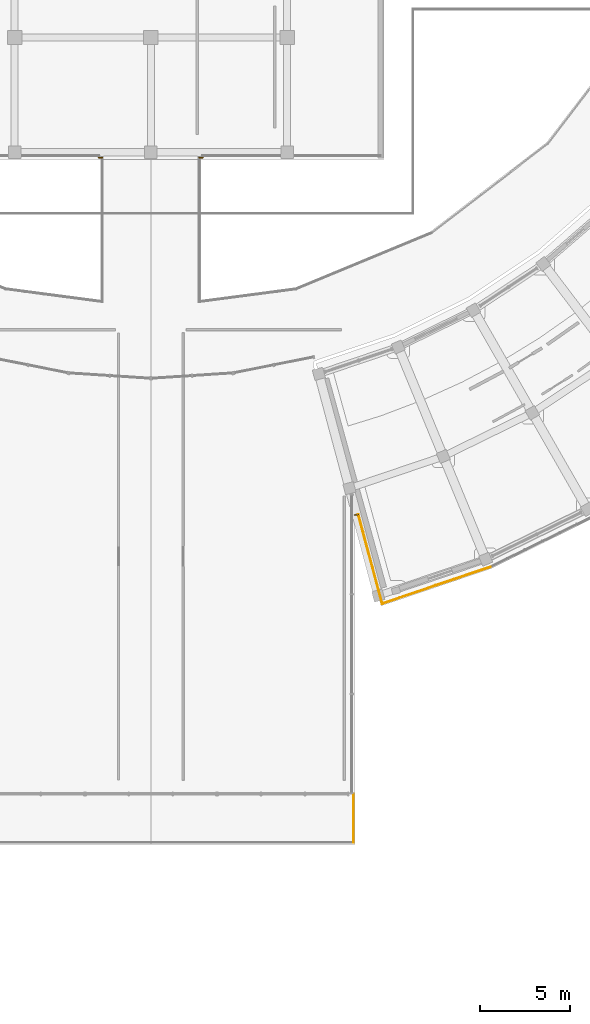
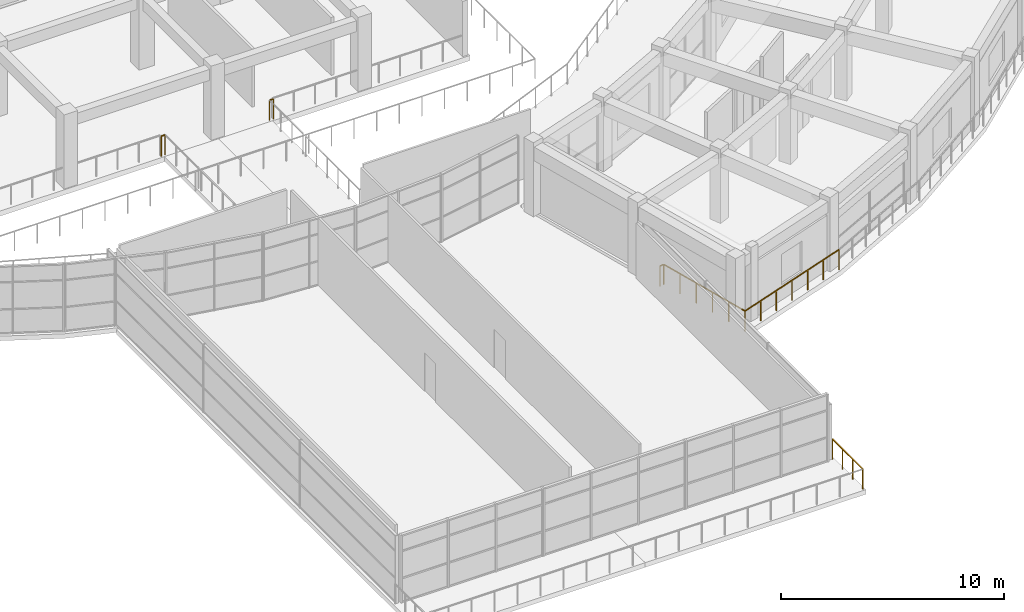
# One storey, part 68 of 83: 6 railings.
"""IFC4 building model written with IfcOpenShell, lengths in metres."""

from ifc_helpers import new_model, si_unit, direction, frame, origin, origin_2d, place, context, subcontext, project, spatial, rectangle, extrude, material, layer, layer_set, type_object, element, save


model = new_model("IFC4")

# Units and contexts
model_context = context("Model", 3, precision=1e-05, world=origin(), true_north=direction((0.0, 1.0)))
body_context = subcontext(model_context, "Body", "Model", "MODEL_VIEW")
ifc_project = project(units=[si_unit("LENGTHUNIT", "METRE"), si_unit("AREAUNIT", "SQUARE_METRE"), si_unit("VOLUMEUNIT", "CUBIC_METRE"), si_unit("PLANEANGLEUNIT", "RADIAN"), si_unit("MASSUNIT", "GRAM", prefix="KILO")], contexts=[model_context])

# Site, building, storey
site_placement = place(None, origin())
site = spatial("IfcSite", under=ifc_project, at=site_placement, CompositionType="ELEMENT")
building_placement = place(site_placement, origin())
building = spatial("IfcBuilding", under=site, at=building_placement, Name="Saryqyr Civic Hall", CompositionType="ELEMENT")
storey_placement = place(building_placement, frame((0.0, 0.0, 9.14990234375)))
storey = spatial("IfcBuildingStorey", under=building, at=storey_placement, Name="L02", CompositionType="ELEMENT", Elevation=9.14990234375)

# Railings
ifc_material = material(Name="Warm brushed brass and laminated glass", Category="glass")
ifc_layer = layer(ifc_material, 0.06005859375, Name="Warm brushed brass and laminated glass")
ifc_layer_set = layer_set([ifc_layer], Name="Warm brushed brass and laminated glass")
railing_type = type_object("IfcRailingType", Name="INT-RLG-BAL-1100", PredefinedType="BALUSTRADE", material=ifc_layer_set)
railing_1_placement = place(storey_placement, frame((75.942626953125, 38.268310546875, 0.0)))
element("IfcRailing", 1, at=railing_1_placement, inside=storey, type_object=railing_type, Name="Interior deck safety balustrade L02-046", PredefinedType="BALUSTRADE", context=body_context, shape_type="SweptSolid", body=[
    extrude(rectangle(XDim=0.048095703125, YDim=0.048095703125, at=origin_2d()), frame((0.0, 0.0, 1.09619140625), z_axis=(-0.946914589927, -0.321485239761, 0.0), x_axis=(0.321485239761, -0.946914589927, 0.0)), (0.0, 0.0, 1.0), 6.37451171875),
    extrude(rectangle(XDim=0.0419921875, YDim=0.0419921875, at=origin_2d()), origin(), (0.0, 0.0, 1.0), 1.072021484375),
    extrude(rectangle(XDim=0.0419921875, YDim=0.0419921875, at=origin_2d()), frame((-1.006103515625, -0.341552734375, 0.0)), (0.0, 0.0, 1.0), 1.072021484375),
    extrude(rectangle(XDim=0.0419921875, YDim=0.0419921875, at=origin_2d()), frame((-2.011962890625, -0.68310546875, 0.0)), (0.0, 0.0, 1.0), 1.072021484375),
    extrude(rectangle(XDim=0.0419921875, YDim=0.0419921875, at=origin_2d()), frame((-3.01806640625, -1.024658203125, 0.0)), (0.0, 0.0, 1.0), 1.072021484375),
    extrude(rectangle(XDim=0.0419921875, YDim=0.0419921875, at=origin_2d()), frame((-4.024169921875, -1.3662109375, 0.0)), (0.0, 0.0, 1.0), 1.072021484375),
    extrude(rectangle(XDim=0.0419921875, YDim=0.0419921875, at=origin_2d()), frame((-5.030029296875, -1.707763671875, 0.0)), (0.0, 0.0, 1.0), 1.072021484375),
    extrude(rectangle(XDim=0.0419921875, YDim=0.0419921875, at=origin_2d()), frame((-6.0361328125, -2.04931640625, 0.0)), (0.0, 0.0, 1.0), 1.072021484375),
])
railing_2_placement = place(storey_placement, frame((69.906494140625, 36.218994140625, 0.0)))
element("IfcRailing", 2, at=railing_2_placement, inside=storey, type_object=railing_type, Name="Interior deck safety balustrade L02-047", PredefinedType="BALUSTRADE", context=body_context, shape_type="SweptSolid", body=[
    extrude(rectangle(XDim=0.048095703125, YDim=0.048095703125, at=origin_2d()), frame((0.0, 0.0, 1.09619140625), z_axis=(-0.258823044347, 0.965924754686, 0.0), x_axis=(-0.965924754686, -0.258823044347, 0.0)), (0.0, 0.0, 1.0), 5.1455078125),
    extrude(rectangle(XDim=0.0419921875, YDim=0.0419921875, at=origin_2d()), origin(), (0.0, 0.0, 1.0), 1.072021484375),
    extrude(rectangle(XDim=0.0419921875, YDim=0.0419921875, at=origin_2d()), frame((-0.266357421875, 0.994140625, 0.0)), (0.0, 0.0, 1.0), 1.072021484375),
    extrude(rectangle(XDim=0.0419921875, YDim=0.0419921875, at=origin_2d()), frame((-0.53271484375, 1.988037109375, 0.0)), (0.0, 0.0, 1.0), 1.072021484375),
    extrude(rectangle(XDim=0.0419921875, YDim=0.0419921875, at=origin_2d()), frame((-0.799072265625, 2.982177734375, 0.0)), (0.0, 0.0, 1.0), 1.072021484375),
    extrude(rectangle(XDim=0.0419921875, YDim=0.0419921875, at=origin_2d()), frame((-1.0654296875, 3.97607421875, 0.0)), (0.0, 0.0, 1.0), 1.072021484375),
    extrude(rectangle(XDim=0.0419921875, YDim=0.0419921875, at=origin_2d()), frame((-1.331787109375, 4.97021484375, 0.0)), (0.0, 0.0, 1.0), 1.072021484375),
])
railing_3_placement = place(storey_placement, frame((68.57470703125, 41.189208984375, 0.0)))
element("IfcRailing", 3, at=railing_3_placement, inside=storey, type_object=railing_type, Name="Interior deck safety balustrade L02-048", PredefinedType="BALUSTRADE", context=body_context, shape_type="SweptSolid", body=[
    extrude(rectangle(XDim=0.048095703125, YDim=0.048095703125, at=origin_2d()), frame((0.0, 0.0, 1.09619140625), z_axis=(-0.99140431691, -0.130833789262, 0.0), x_axis=(0.130833789262, -0.99140431691, 0.0)), (0.0, 0.0, 1.0), 0.216552734375),
    extrude(rectangle(XDim=0.0419921875, YDim=0.0419921875, at=origin_2d()), origin(), (0.0, 0.0, 1.0), 1.072021484375),
    extrude(rectangle(XDim=0.0419921875, YDim=0.0419921875, at=origin_2d()), frame((-0.214599609375, -0.0283203125, 0.0)), (0.0, 0.0, 1.0), 1.072021484375),
])
railing_4_placement = place(storey_placement, frame((68.300048828125, 25.610107421875, 0.0)))
element("IfcRailing", 4, at=railing_4_placement, inside=storey, type_object=railing_type, Name="Interior deck safety balustrade L02-049", PredefinedType="BALUSTRADE", context=body_context, shape_type="SweptSolid", body=[
    extrude(rectangle(XDim=0.048095703125, YDim=0.048095703125, at=origin_2d()), frame((0.0, 0.0, 1.09619140625), z_axis=(0.0, -1.0, 0.0), x_axis=(1.0, 0.0, 0.0)), (0.0, 0.0, 1.0), 2.710205078125),
    extrude(rectangle(XDim=0.0419921875, YDim=0.0419921875, at=origin_2d()), origin(), (0.0, 0.0, 1.0), 1.072021484375),
    extrude(rectangle(XDim=0.0419921875, YDim=0.0419921875, at=origin_2d()), frame((0.0, -0.9033203125, 0.0)), (0.0, 0.0, 1.0), 1.072021484375),
    extrude(rectangle(XDim=0.0419921875, YDim=0.0419921875, at=origin_2d()), frame((0.0, -1.806884765625, 0.0)), (0.0, 0.0, 1.0), 1.072021484375),
    extrude(rectangle(XDim=0.0419921875, YDim=0.0419921875, at=origin_2d()), frame((0.0, -2.710205078125, 0.0)), (0.0, 0.0, 1.0), 1.072021484375),
])
for number, where, name in (
    (5, (59.89990234375, 61.10009765625, 0.0), "Interior deck safety balustrade L02-057"),
    (6, (54.300048828125, 61.10009765625, 0.0), "Interior deck safety balustrade L02-085"),
):
    element("IfcRailing", number, at=place(storey_placement, frame(where)), inside=storey, type_object=railing_type, Name=name, PredefinedType="BALUSTRADE", context=body_context, shape_type="SweptSolid", body=[
        extrude(rectangle(XDim=0.048095703125, YDim=0.048095703125, at=origin_2d()), frame((0.0, 0.0, 1.09619140625), z_axis=(-1.0, 0.0, 0.0), x_axis=(0.0, -1.0, 0.0)), (0.0, 0.0, 1.0), 0.199951171875),
        extrude(rectangle(XDim=0.0419921875, YDim=0.0419921875, at=origin_2d()), origin(), (0.0, 0.0, 1.0), 1.072021484375),
        extrude(rectangle(XDim=0.0419921875, YDim=0.0419921875, at=origin_2d()), frame((-0.199951171875, 0.0, 0.0)), (0.0, 0.0, 1.0), 1.072021484375),
    ])

save(model, "model.ifc")
